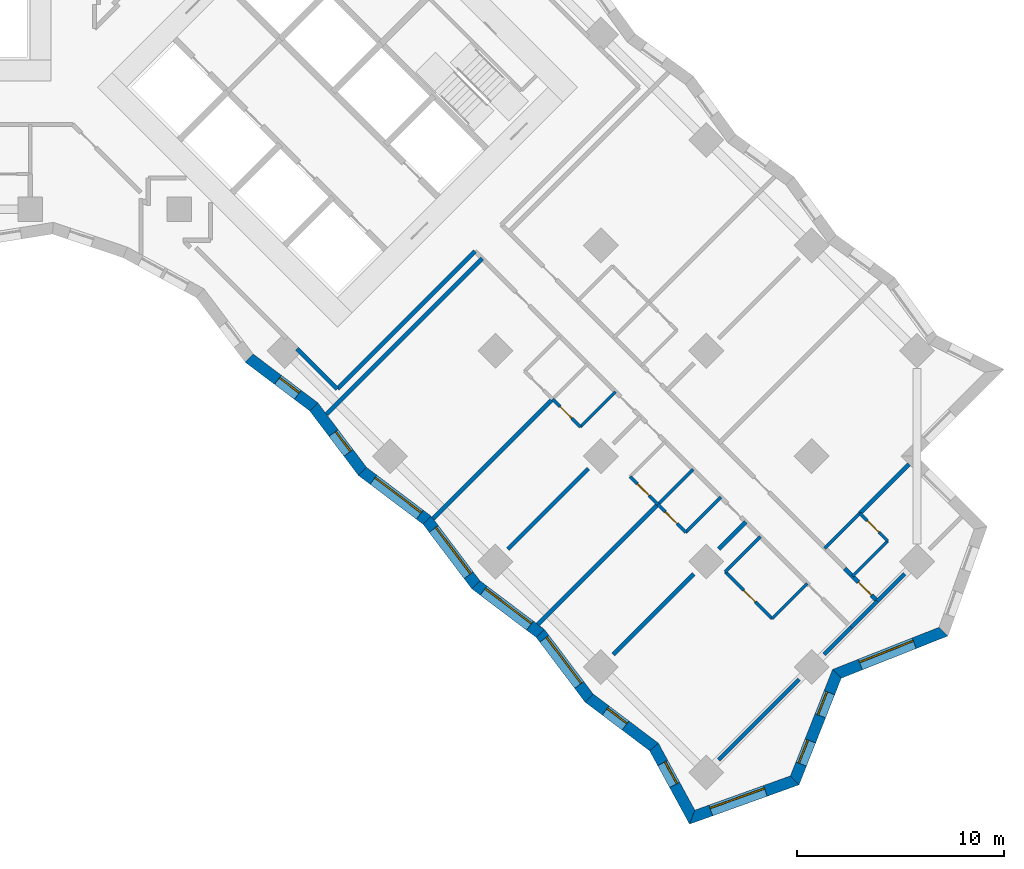
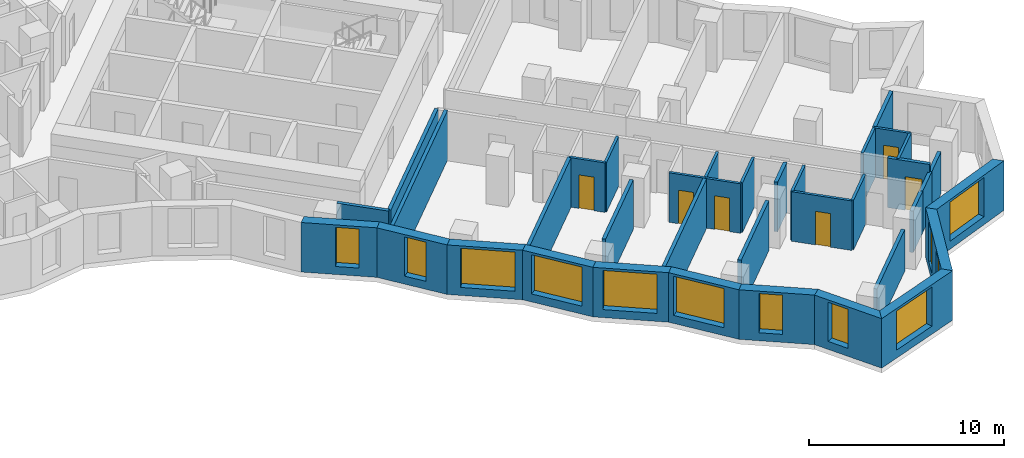
# One storey, part 7 of 12: 37 walls, 12 windows, 6 doors, 18 openings.
"""IFC4 building model written with IfcOpenShell, lengths in metres."""

from ifc_helpers import new_model, si_unit, direction, frame, frame_2d, origin, place, context, subcontext, project, spatial, polyline, rectangle, outline, extrude, material, layer, layer_set, type_object, element, fill, save


model = new_model("IFC4")

# Units and contexts
model_context = context("Model", 3, precision=1e-05, world=origin(), true_north=direction((0.0, 1.0)))
body_context = subcontext(model_context, "Body", "Model", "MODEL_VIEW")
ifc_project = project(units=[si_unit("LENGTHUNIT", "METRE"), si_unit("AREAUNIT", "SQUARE_METRE"), si_unit("VOLUMEUNIT", "CUBIC_METRE"), si_unit("PLANEANGLEUNIT", "RADIAN"), si_unit("MASSUNIT", "GRAM", prefix="KILO")], contexts=[model_context])

# Site, building, storey
site_placement = place(None, origin())
site = spatial("IfcSite", under=ifc_project, at=site_placement, CompositionType="ELEMENT")
building_placement = place(site_placement, origin())
building = spatial("IfcBuilding", under=site, at=building_placement, Name="Windrow Commons", CompositionType="ELEMENT")
storey_placement = place(building_placement, frame((0.0, 0.0, 54.2)))
storey = spatial("IfcBuildingStorey", under=building, at=storey_placement, Name="L14", CompositionType="ELEMENT", Elevation=54.2)

# Wall, opening, window
ifc_material_1 = material(Name="Brick masonry, red clay brick", Category="masonry")
ifc_layer_1 = layer(ifc_material_1, 0.55)
ifc_layer_set_1 = layer_set([ifc_layer_1], Name="Brick facade wall 550")
wall_type_1 = type_object("IfcWallType", Name="Brick facade wall 550", PredefinedType="SOLIDWALL", material=ifc_layer_set_1)
wall_1_placement = place(storey_placement, frame((103.9772, 13.831, 0.0), z_axis=(0.0, 0.0, 1.0), x_axis=(0.9412569304, 0.3376912656, 0.0)))
wall_1 = element("IfcWall", 1, at=wall_1_placement, inside=storey, type_object=wall_type_1, Name="Brick facade wall L14 1", PredefinedType="SOLIDWALL", context=body_context, shape_type="SweptSolid", body=[
    extrude(outline(polyline([(-0.2356, -0.275), (5.3878, -0.275), (5.1391, 0.275), (0.2356, 0.275), (-0.2356, -0.275)])), origin(), (0.0, 0.0, 1.0), 3.1),
])
opening_1_placement = place(wall_1_placement, frame((0.9547, 0.0, 0.5)))
opening_1 = element("IfcOpeningElement", 2, at=opening_1_placement, cuts=wall_1, Name="Opening W1T", PredefinedType="OPENING", context=body_context, shape_type="SweptSolid", body=[
    extrude(rectangle(XDim=2.8, YDim=2.45, at=frame_2d((1.4, 1.225))), frame((0.0, 0.285, 0.0), z_axis=(0.0, -1.0, 0.0), x_axis=(1.0, 0.0, 0.0)), (0.0, 0.0, 1.0), 0.57),
])
ifc_material_2 = material(Name="Clear float glass in anodised aluminium frame", Category="aluminium")
window_type_1 = type_object("IfcWindowType", Name="Window W1T bedroom 2800x2450", PartitioningType="SINGLE_PANEL", PredefinedType="WINDOW", material=ifc_material_2)
window_1_placement = place(opening_1_placement, origin())
window_1 = element("IfcWindow", 3, at=window_1_placement, inside=storey, type_object=window_type_1, Name="Window L14 1.1", OverallHeight=2.45, OverallWidth=2.8, PartitioningType="SINGLE_PANEL", PredefinedType="WINDOW", context=body_context, shape_type="SweptSolid", body=[
    extrude(rectangle(XDim=2.8, YDim=2.45, at=frame_2d((1.4, 1.225))), frame((0.0, 0.155, 0.0), z_axis=(0.0, -1.0, 0.0), x_axis=(1.0, 0.0, 0.0)), (0.0, 0.0, 1.0), 0.06),
])
fill(opening_1, window_1)

# Wall, openings, windows
wall_2_placement = place(storey_placement, frame((108.9314, 15.6084, 0.0), z_axis=(0.0, 0.0, 1.0), x_axis=(0.368236509, 0.9297321514, 0.0)))
wall_2 = element("IfcWall", 4, at=wall_2_placement, inside=storey, type_object=wall_type_1, Name="Brick facade wall L14 2", PredefinedType="SOLIDWALL", context=body_context, shape_type="SweptSolid", body=[
    extrude(outline(polyline([(-0.1243, -0.275), (5.4166, -0.275), (5.6546, 0.275), (0.1243, 0.275), (-0.1243, -0.275)])), origin(), (0.0, 0.0, 1.0), 3.1),
])
opening_2_placement = place(wall_2_placement, frame((0.8484, 0.0, 0.5)))
opening_2 = element("IfcOpeningElement", 5, at=opening_2_placement, cuts=wall_2, Name="Opening W7D", PredefinedType="OPENING", context=body_context, shape_type="SweptSolid", body=[
    extrude(rectangle(XDim=1.2, YDim=2.45, at=frame_2d((0.6, 1.225))), frame((0.0, 0.285, 0.0), z_axis=(0.0, -1.0, 0.0), x_axis=(1.0, 0.0, 0.0)), (0.0, 0.0, 1.0), 0.57),
])
opening_3_placement = place(wall_2_placement, frame((3.354, 0.0, 0.5)))
opening_3 = element("IfcOpeningElement", 6, at=opening_3_placement, cuts=wall_2, Name="Opening W7D", PredefinedType="OPENING", context=body_context, shape_type="SweptSolid", body=[
    extrude(rectangle(XDim=1.2, YDim=2.45, at=frame_2d((0.6, 1.225))), frame((0.0, 0.285, 0.0), z_axis=(0.0, -1.0, 0.0), x_axis=(1.0, 0.0, 0.0)), (0.0, 0.0, 1.0), 0.57),
])
ifc_material_3 = material(Name="Clear float glass in anodised aluminium frame", Category="aluminium")
window_type_2 = type_object("IfcWindowType", Name="Window W7 notch 1200x2450", PartitioningType="SINGLE_PANEL", PredefinedType="WINDOW", material=ifc_material_3)
window_2_placement = place(opening_2_placement, origin())
window_2 = element("IfcWindow", 7, at=window_2_placement, inside=storey, type_object=window_type_2, Name="Window L14 2.1", OverallHeight=2.45, OverallWidth=1.2, PartitioningType="SINGLE_PANEL", PredefinedType="WINDOW", context=body_context, shape_type="SweptSolid", body=[
    extrude(rectangle(XDim=1.2, YDim=2.45, at=frame_2d((0.6, 1.225))), frame((0.0, 0.155, 0.0), z_axis=(0.0, -1.0, 0.0), x_axis=(1.0, 0.0, 0.0)), (0.0, 0.0, 1.0), 0.06),
])
fill(opening_2, window_2)
window_3_placement = place(opening_3_placement, origin())
window_3 = element("IfcWindow", 8, at=window_3_placement, inside=storey, type_object=window_type_2, Name="Window L14 2.2", OverallHeight=2.45, OverallWidth=1.2, PartitioningType="SINGLE_PANEL", PredefinedType="WINDOW", context=body_context, shape_type="SweptSolid", body=[
    extrude(rectangle(XDim=1.2, YDim=2.45, at=frame_2d((0.6, 1.225))), frame((0.0, 0.155, 0.0), z_axis=(0.0, -1.0, 0.0), x_axis=(1.0, 0.0, 0.0)), (0.0, 0.0, 1.0), 0.06),
])
fill(opening_3, window_3)

# Wall, opening, window
wall_3_placement = place(storey_placement, frame((110.9698, 20.755, 0.0), z_axis=(0.0, 0.0, 1.0), x_axis=(0.9297346009, 0.3682303244, 0.0)))
wall_3 = element("IfcWall", 9, at=wall_3_placement, inside=storey, type_object=wall_type_1, Name="Brick facade wall L14 3", PredefinedType="SOLIDWALL", context=body_context, shape_type="SweptSolid", body=[
    extrude(outline(polyline([(0.119, -0.275), (5.6599, -0.275), (5.4113, 0.275), (-0.119, 0.275), (0.119, -0.275)])), origin(), (0.0, 0.0, 1.0), 3.1),
])
opening_4_placement = place(wall_3_placement, frame((1.2138, 0.0, 0.5)))
opening_4 = element("IfcOpeningElement", 10, at=opening_4_placement, cuts=wall_3, Name="Opening W1T", PredefinedType="OPENING", context=body_context, shape_type="SweptSolid", body=[
    extrude(rectangle(XDim=2.8, YDim=2.45, at=frame_2d((1.4, 1.225))), frame((0.0, 0.285, 0.0), z_axis=(0.0, -1.0, 0.0), x_axis=(1.0, 0.0, 0.0)), (0.0, 0.0, 1.0), 0.57),
])
window_4_placement = place(opening_4_placement, origin())
window_4 = element("IfcWindow", 11, at=window_4_placement, inside=storey, type_object=window_type_1, Name="Window L14 3.1", OverallHeight=2.45, OverallWidth=2.8, PartitioningType="SINGLE_PANEL", PredefinedType="WINDOW", context=body_context, shape_type="SweptSolid", body=[
    extrude(rectangle(XDim=2.8, YDim=2.45, at=frame_2d((1.4, 1.225))), frame((0.0, 0.155, 0.0), z_axis=(0.0, -1.0, 0.0), x_axis=(1.0, 0.0, 0.0)), (0.0, 0.0, 1.0), 0.06),
])
fill(opening_4, window_4)

wall_4_placement = place(storey_placement, frame((82.5766, 36.0055, 0.0), z_axis=(0.0, 0.0, 1.0), x_axis=(0.7983449017, -0.6022004799, 0.0)))
wall_4 = element("IfcWall", 12, at=wall_4_placement, inside=storey, type_object=wall_type_1, Name="Brick facade wall L14 56", PredefinedType="SOLIDWALL", context=body_context, shape_type="SweptSolid", body=[
    extrude(outline(polyline([(-0.0385, -0.275), (3.8693, -0.275), (3.9463, 0.275), (0.0385, 0.275), (-0.0385, -0.275)])), origin(), (0.0, 0.0, 1.0), 3.1),
])
opening_5_placement = place(wall_4_placement, frame((1.7388, 0.0, 0.5)))
opening_5 = element("IfcOpeningElement", 13, at=opening_5_placement, cuts=wall_4, Name="Opening W7D", PredefinedType="OPENING", context=body_context, shape_type="SweptSolid", body=[
    extrude(rectangle(XDim=1.2, YDim=2.45, at=frame_2d((0.6, 1.225))), frame((0.0, 0.285, 0.0), z_axis=(0.0, -1.0, 0.0), x_axis=(1.0, 0.0, 0.0)), (0.0, 0.0, 1.0), 0.57),
])
window_5_placement = place(opening_5_placement, origin())
window_5 = element("IfcWindow", 14, at=window_5_placement, inside=storey, type_object=window_type_2, Name="Window L14 56.1", OverallHeight=2.45, OverallWidth=1.2, PartitioningType="SINGLE_PANEL", PredefinedType="WINDOW", context=body_context, shape_type="SweptSolid", body=[
    extrude(rectangle(XDim=1.2, YDim=2.45, at=frame_2d((0.6, 1.225))), frame((0.0, 0.155, 0.0), z_axis=(0.0, -1.0, 0.0), x_axis=(1.0, 0.0, 0.0)), (0.0, 0.0, 1.0), 0.06),
])
fill(opening_5, window_5)

wall_5_placement = place(storey_placement, frame((85.6964, 33.6522, 0.0), z_axis=(0.0, 0.0, 1.0), x_axis=(0.6021964726, -0.7983479244, 0.0)))
wall_5 = element("IfcWall", 15, at=wall_5_placement, inside=storey, type_object=wall_type_1, Name="Brick facade wall L14 57", PredefinedType="SOLIDWALL", context=body_context, shape_type="SweptSolid", body=[
    extrude(outline(polyline([(0.0385, -0.275), (3.9463, -0.275), (3.8693, 0.275), (-0.0385, 0.275), (0.0385, -0.275)])), origin(), (0.0, 0.0, 1.0), 3.1),
])
opening_6_placement = place(wall_5_placement, frame((1.5832, 0.0, 0.5)))
opening_6 = element("IfcOpeningElement", 16, at=opening_6_placement, cuts=wall_5, Name="Opening W7D", PredefinedType="OPENING", context=body_context, shape_type="SweptSolid", body=[
    extrude(rectangle(XDim=1.2, YDim=2.45, at=frame_2d((0.6, 1.225))), frame((0.0, 0.285, 0.0), z_axis=(0.0, -1.0, 0.0), x_axis=(1.0, 0.0, 0.0)), (0.0, 0.0, 1.0), 0.57),
])
window_6_placement = place(opening_6_placement, origin())
window_6 = element("IfcWindow", 17, at=window_6_placement, inside=storey, type_object=window_type_2, Name="Window L14 57.1", OverallHeight=2.45, OverallWidth=1.2, PartitioningType="SINGLE_PANEL", PredefinedType="WINDOW", context=body_context, shape_type="SweptSolid", body=[
    extrude(rectangle(XDim=1.2, YDim=2.45, at=frame_2d((0.6, 1.225))), frame((0.0, 0.155, 0.0), z_axis=(0.0, -1.0, 0.0), x_axis=(1.0, 0.0, 0.0)), (0.0, 0.0, 1.0), 0.06),
])
fill(opening_6, window_6)

wall_6_placement = place(storey_placement, frame((88.0496, 30.5325, 0.0), z_axis=(0.0, 0.0, 1.0), x_axis=(0.7983449017, -0.6022004799, 0.0)))
wall_6 = element("IfcWall", 18, at=wall_6_placement, inside=storey, type_object=wall_type_1, Name="Brick facade wall L14 58", PredefinedType="SOLIDWALL", context=body_context, shape_type="SweptSolid", body=[
    extrude(outline(polyline([(-0.0385, -0.275), (3.8693, -0.275), (3.9463, 0.275), (0.0385, 0.275), (-0.0385, -0.275)])), origin(), (0.0, 0.0, 1.0), 3.1),
])
opening_7_placement = place(wall_6_placement, frame((0.6661, 0.0, 0.5)))
opening_7 = element("IfcOpeningElement", 19, at=opening_7_placement, cuts=wall_6, Name="Opening W1T", PredefinedType="OPENING", context=body_context, shape_type="SweptSolid", body=[
    extrude(rectangle(XDim=2.8, YDim=2.45, at=frame_2d((1.4, 1.225))), frame((0.0, 0.285, 0.0), z_axis=(0.0, -1.0, 0.0), x_axis=(1.0, 0.0, 0.0)), (0.0, 0.0, 1.0), 0.57),
])
window_7_placement = place(opening_7_placement, origin())
window_7 = element("IfcWindow", 20, at=window_7_placement, inside=storey, type_object=window_type_1, Name="Window L14 58.1", OverallHeight=2.45, OverallWidth=2.8, PartitioningType="SINGLE_PANEL", PredefinedType="WINDOW", context=body_context, shape_type="SweptSolid", body=[
    extrude(rectangle(XDim=2.8, YDim=2.45, at=frame_2d((1.4, 1.225))), frame((0.0, 0.155, 0.0), z_axis=(0.0, -1.0, 0.0), x_axis=(1.0, 0.0, 0.0)), (0.0, 0.0, 1.0), 0.06),
])
fill(opening_7, window_7)

wall_7_placement = place(storey_placement, frame((91.1694, 28.1792, 0.0), z_axis=(0.0, 0.0, 1.0), x_axis=(0.6022004799, -0.7983449017, 0.0)))
wall_7 = element("IfcWall", 21, at=wall_7_placement, inside=storey, type_object=wall_type_1, Name="Brick facade wall L14 59", PredefinedType="SOLIDWALL", context=body_context, shape_type="SweptSolid", body=[
    extrude(outline(polyline([(0.0385, -0.275), (3.9463, -0.275), (3.8693, 0.275), (-0.0385, 0.275), (0.0385, -0.275)])), origin(), (0.0, 0.0, 1.0), 3.1),
])
opening_8_placement = place(wall_7_placement, frame((0.5347, 0.0, 0.5)))
opening_8 = element("IfcOpeningElement", 22, at=opening_8_placement, cuts=wall_7, Name="Opening W1T", PredefinedType="OPENING", context=body_context, shape_type="SweptSolid", body=[
    extrude(rectangle(XDim=2.8, YDim=2.45, at=frame_2d((1.4, 1.225))), frame((0.0, 0.285, 0.0), z_axis=(0.0, -1.0, 0.0), x_axis=(1.0, 0.0, 0.0)), (0.0, 0.0, 1.0), 0.57),
])
window_8_placement = place(opening_8_placement, origin())
window_8 = element("IfcWindow", 23, at=window_8_placement, inside=storey, type_object=window_type_1, Name="Window L14 59.1", OverallHeight=2.45, OverallWidth=2.8, PartitioningType="SINGLE_PANEL", PredefinedType="WINDOW", context=body_context, shape_type="SweptSolid", body=[
    extrude(rectangle(XDim=2.8, YDim=2.45, at=frame_2d((1.4, 1.225))), frame((0.0, 0.155, 0.0), z_axis=(0.0, -1.0, 0.0), x_axis=(1.0, 0.0, 0.0)), (0.0, 0.0, 1.0), 0.06),
])
fill(opening_8, window_8)

wall_8_placement = place(storey_placement, frame((93.5227, 25.0594, 0.0), z_axis=(0.0, 0.0, 1.0), x_axis=(0.7983449017, -0.6022004799, 0.0)))
wall_8 = element("IfcWall", 24, at=wall_8_placement, inside=storey, type_object=wall_type_1, Name="Brick facade wall L14 60", PredefinedType="SOLIDWALL", context=body_context, shape_type="SweptSolid", body=[
    extrude(outline(polyline([(-0.0385, -0.275), (3.8693, -0.275), (3.9463, 0.275), (0.0385, 0.275), (-0.0385, -0.275)])), origin(), (0.0, 0.0, 1.0), 3.1),
])
opening_9_placement = place(wall_8_placement, frame((0.4764, 0.0, 0.5)))
opening_9 = element("IfcOpeningElement", 25, at=opening_9_placement, cuts=wall_8, Name="Opening W1T", PredefinedType="OPENING", context=body_context, shape_type="SweptSolid", body=[
    extrude(rectangle(XDim=2.8, YDim=2.45, at=frame_2d((1.4, 1.225))), frame((0.0, 0.285, 0.0), z_axis=(0.0, -1.0, 0.0), x_axis=(1.0, 0.0, 0.0)), (0.0, 0.0, 1.0), 0.57),
])
window_9_placement = place(opening_9_placement, origin())
window_9 = element("IfcWindow", 26, at=window_9_placement, inside=storey, type_object=window_type_1, Name="Window L14 60.1", OverallHeight=2.45, OverallWidth=2.8, PartitioningType="SINGLE_PANEL", PredefinedType="WINDOW", context=body_context, shape_type="SweptSolid", body=[
    extrude(rectangle(XDim=2.8, YDim=2.45, at=frame_2d((1.4, 1.225))), frame((0.0, 0.155, 0.0), z_axis=(0.0, -1.0, 0.0), x_axis=(1.0, 0.0, 0.0)), (0.0, 0.0, 1.0), 0.06),
])
fill(opening_9, window_9)

wall_9_placement = place(storey_placement, frame((96.6425, 22.7061, 0.0), z_axis=(0.0, 0.0, 1.0), x_axis=(0.6022004799, -0.7983449017, 0.0)))
wall_9 = element("IfcWall", 27, at=wall_9_placement, inside=storey, type_object=wall_type_1, Name="Brick facade wall L14 61", PredefinedType="SOLIDWALL", context=body_context, shape_type="SweptSolid", body=[
    extrude(outline(polyline([(0.0385, -0.275), (3.9463, -0.275), (3.8693, 0.275), (-0.0385, 0.275), (0.0385, -0.275)])), origin(), (0.0, 0.0, 1.0), 3.1),
])
opening_10_placement = place(wall_9_placement, frame((0.3208, 0.0, 0.5)))
opening_10 = element("IfcOpeningElement", 28, at=opening_10_placement, cuts=wall_9, Name="Opening W1T", PredefinedType="OPENING", context=body_context, shape_type="SweptSolid", body=[
    extrude(rectangle(XDim=2.8, YDim=2.45, at=frame_2d((1.4, 1.225))), frame((0.0, 0.285, 0.0), z_axis=(0.0, -1.0, 0.0), x_axis=(1.0, 0.0, 0.0)), (0.0, 0.0, 1.0), 0.57),
])
window_10_placement = place(opening_10_placement, origin())
window_10 = element("IfcWindow", 29, at=window_10_placement, inside=storey, type_object=window_type_1, Name="Window L14 61.1", OverallHeight=2.45, OverallWidth=2.8, PartitioningType="SINGLE_PANEL", PredefinedType="WINDOW", context=body_context, shape_type="SweptSolid", body=[
    extrude(rectangle(XDim=2.8, YDim=2.45, at=frame_2d((1.4, 1.225))), frame((0.0, 0.155, 0.0), z_axis=(0.0, -1.0, 0.0), x_axis=(1.0, 0.0, 0.0)), (0.0, 0.0, 1.0), 0.06),
])
fill(opening_10, window_10)

wall_10_placement = place(storey_placement, frame((98.9958, 19.5863, 0.0), z_axis=(0.0, 0.0, 1.0), x_axis=(0.7983537644, -0.6021887302, 0.0)))
wall_10 = element("IfcWall", 30, at=wall_10_placement, inside=storey, type_object=wall_type_1, Name="Brick facade wall L14 62", PredefinedType="SOLIDWALL", context=body_context, shape_type="SweptSolid", body=[
    extrude(outline(polyline([(-0.0385, -0.275), (3.8693, -0.275), (3.9883, 0.275), (0.0385, 0.275), (-0.0385, -0.275)])), origin(), (0.0, 0.0, 1.0), 3.1),
])
opening_11_placement = place(wall_10_placement, frame((1.0037, 0.0, 0.5)))
opening_11 = element("IfcOpeningElement", 31, at=opening_11_placement, cuts=wall_10, Name="Opening W7D", PredefinedType="OPENING", context=body_context, shape_type="SweptSolid", body=[
    extrude(rectangle(XDim=1.2, YDim=2.45, at=frame_2d((0.6, 1.225))), frame((0.0, 0.285, 0.0), z_axis=(0.0, -1.0, 0.0), x_axis=(1.0, 0.0, 0.0)), (0.0, 0.0, 1.0), 0.57),
])
window_11_placement = place(opening_11_placement, origin())
window_11 = element("IfcWindow", 32, at=window_11_placement, inside=storey, type_object=window_type_2, Name="Window L14 62.1", OverallHeight=2.45, OverallWidth=1.2, PartitioningType="SINGLE_PANEL", PredefinedType="WINDOW", context=body_context, shape_type="SweptSolid", body=[
    extrude(rectangle(XDim=1.2, YDim=2.45, at=frame_2d((0.6, 1.225))), frame((0.0, 0.155, 0.0), z_axis=(0.0, -1.0, 0.0), x_axis=(1.0, 0.0, 0.0)), (0.0, 0.0, 1.0), 0.06),
])
fill(opening_11, window_11)

wall_11_placement = place(storey_placement, frame((102.1324, 17.2204, 0.0), z_axis=(0.0, 0.0, 1.0), x_axis=(0.478060323, -0.8783270049, 0.0)))
wall_11 = element("IfcWall", 33, at=wall_11_placement, inside=storey, type_object=wall_type_1, Name="Brick facade wall L14 63", PredefinedType="SOLIDWALL", context=body_context, shape_type="SweptSolid", body=[
    extrude(outline(polyline([(0.0595, -0.275), (4.0945, -0.275), (3.6233, 0.275), (-0.0595, 0.275), (0.0595, -0.275)])), origin(), (0.0, 0.0, 1.0), 3.1),
])
opening_12_placement = place(wall_11_placement, frame((0.8811, 0.0, 0.5)))
opening_12 = element("IfcOpeningElement", 34, at=opening_12_placement, cuts=wall_11, Name="Opening W7D", PredefinedType="OPENING", context=body_context, shape_type="SweptSolid", body=[
    extrude(rectangle(XDim=1.2, YDim=2.45, at=frame_2d((0.6, 1.225))), frame((0.0, 0.285, 0.0), z_axis=(0.0, -1.0, 0.0), x_axis=(1.0, 0.0, 0.0)), (0.0, 0.0, 1.0), 0.57),
])
window_12_placement = place(opening_12_placement, origin())
window_12 = element("IfcWindow", 35, at=window_12_placement, inside=storey, type_object=window_type_2, Name="Window L14 63.1", OverallHeight=2.45, OverallWidth=1.2, PartitioningType="SINGLE_PANEL", PredefinedType="WINDOW", context=body_context, shape_type="SweptSolid", body=[
    extrude(rectangle(XDim=1.2, YDim=2.45, at=frame_2d((0.6, 1.225))), frame((0.0, 0.155, 0.0), z_axis=(0.0, -1.0, 0.0), x_axis=(1.0, 0.0, 0.0)), (0.0, 0.0, 1.0), 0.06),
])
fill(opening_12, window_12)

# Walls
ifc_material_4 = material(Name="Blockwork partition", Category="masonry")
ifc_layer_2 = layer(ifc_material_4, 0.2)
ifc_layer_set_2 = layer_set([ifc_layer_2], Name="IW-CORRIDOR-200")
wall_type_2 = type_object("IfcWallType", Name="IW-CORRIDOR-200", PredefinedType="PARTITIONING", material=ifc_layer_set_2)
wall_12_placement = place(storey_placement, frame((86.8359, 34.5241, 0.0), z_axis=(0.0, 0.0, 1.0), x_axis=(0.7071067812, 0.7071067812, 0.0)))
element("IfcWall", 36, at=wall_12_placement, inside=storey, type_object=wall_type_2, Name="W-L14-W013", PredefinedType="PARTITIONING", context=body_context, shape_type="SweptSolid", body=[
    extrude(rectangle(XDim=9.3989, YDim=0.2, at=frame_2d((4.6994, 0.0))), origin(), (0.0, 0.0, 1.0), 3.1),
])
wall_13_placement = place(storey_placement, frame((84.8888, 36.4648, 0.0), z_axis=(0.0, 0.0, 1.0), x_axis=(0.7071067812, -0.7071067812, 0.0)))
element("IfcWall", 37, at=wall_13_placement, inside=storey, type_object=wall_type_2, Name="W-L14-W058", PredefinedType="PARTITIONING", context=body_context, shape_type="SweptSolid", body=[
    extrude(rectangle(XDim=2.7492, YDim=0.2, at=frame_2d((1.3746, 0.0))), origin(), (0.0, 0.0, 1.0), 3.1),
])

# Wall, opening, door
wall_14_placement = place(storey_placement, frame((112.9254, 24.2674, 0.0), z_axis=(0.0, 0.0, 1.0), x_axis=(-0.7068383786, 0.707375082, 0.0)))
wall_14 = element("IfcWall", 38, at=wall_14_placement, inside=storey, type_object=wall_type_2, Name="W-L14-W095", PredefinedType="PARTITIONING", context=body_context, shape_type="SweptSolid", body=[
    extrude(rectangle(XDim=2.2359, YDim=0.2, at=frame_2d((1.1179, 0.0))), origin(), (0.0, 0.0, 1.0), 3.1),
])
opening_13_placement = place(wall_14_placement, frame((0.3995, 0.0, 0.0)))
opening_13 = element("IfcOpeningElement", 39, at=opening_13_placement, cuts=wall_14, Name="Opening D109S", PredefinedType="OPENING", context=body_context, shape_type="SweptSolid", body=[
    extrude(rectangle(XDim=0.9, YDim=2.1, at=frame_2d((0.45, 1.05))), frame((0.0, 0.11, 0.0), z_axis=(0.0, -1.0, 0.0), x_axis=(1.0, 0.0, 0.0)), (0.0, 0.0, 1.0), 0.22),
])
ifc_material_5 = material(Name="Timber door leaf", Category="wood")
door_type_1 = type_object("IfcDoorType", Name="DT-BEDROOM-900", OperationType="SINGLE_SWING_LEFT", PredefinedType="DOOR", material=ifc_material_5)
door_1_placement = place(opening_13_placement, origin())
door_1 = element("IfcDoor", 40, at=door_1_placement, inside=storey, type_object=door_type_1, Name="D-L14-D048", OperationType="SINGLE_SWING_RIGHT", OverallHeight=2.1, OverallWidth=0.9, PredefinedType="DOOR", context=body_context, shape_type="SweptSolid", body=[
    extrude(rectangle(XDim=0.9, YDim=2.1, at=frame_2d((0.45, 1.05))), frame((0.0, 0.025, 0.0), z_axis=(0.0, -1.0, 0.0), x_axis=(1.0, 0.0, 0.0)), (0.0, 0.0, 1.0), 0.05),
])
fill(opening_13, door_1)

# Wall
wall_15_placement = place(storey_placement, frame((111.6555, 22.9985, 0.0), z_axis=(0.0, 0.0, 1.0), x_axis=(0.7071067812, 0.7071067812, 0.0)))
element("IfcWall", 41, at=wall_15_placement, inside=storey, type_object=wall_type_2, Name="W-L14-W130", PredefinedType="PARTITIONING", context=body_context, shape_type="SweptSolid", body=[
    extrude(rectangle(XDim=1.7989, YDim=0.2, at=frame_2d((0.8994, 0.0))), origin(), (0.0, 0.0, 1.0), 2.6),
])

# Wall, opening, door
ifc_material_6 = material(Name="Blockwork partition", Category="masonry")
ifc_layer_3 = layer(ifc_material_6, 0.15)
ifc_layer_set_3 = layer_set([ifc_layer_3], Name="IW-ENSUITE-150")
wall_type_3 = type_object("IfcWallType", Name="IW-ENSUITE-150", PredefinedType="PARTITIONING", material=ifc_layer_set_3)
wall_16_placement = place(storey_placement, frame((105.5726, 25.6806, 0.0), z_axis=(0.0, 0.0, 1.0), x_axis=(0.7071067812, -0.7071067812, 0.0)))
wall_16 = element("IfcWall", 42, at=wall_16_placement, inside=storey, type_object=wall_type_3, Name="W-L14-W054", PredefinedType="PARTITIONING", context=body_context, shape_type="SweptSolid", body=[
    extrude(rectangle(XDim=3.199, YDim=0.15, at=frame_2d((1.5995, 0.0))), origin(), (0.0, 0.0, 1.0), 3.1),
])
opening_14_placement = place(wall_16_placement, frame((1.2585, 0.0, 0.0)))
opening_14 = element("IfcOpeningElement", 43, at=opening_14_placement, cuts=wall_16, Name="Opening D208N", PredefinedType="OPENING", context=body_context, shape_type="SweptSolid", body=[
    extrude(rectangle(XDim=0.8, YDim=2.1, at=frame_2d((0.4, 1.05))), frame((0.0, 0.085, 0.0), z_axis=(0.0, -1.0, 0.0), x_axis=(1.0, 0.0, 0.0)), (0.0, 0.0, 1.0), 0.17),
])
ifc_material_7 = material(Name="Timber door leaf", Category="wood")
door_type_2 = type_object("IfcDoorType", Name="DT-ENSUITE-800", OperationType="SINGLE_SWING_LEFT", PredefinedType="DOOR", material=ifc_material_7)
door_2_placement = place(opening_14_placement, origin())
door_2 = element("IfcDoor", 44, at=door_2_placement, inside=storey, type_object=door_type_2, Name="D-L14-D047", OperationType="SINGLE_SWING_RIGHT", OverallHeight=2.1, OverallWidth=0.8, PredefinedType="DOOR", context=body_context, shape_type="SweptSolid", body=[
    extrude(rectangle(XDim=0.8, YDim=2.1, at=frame_2d((0.4, 1.05))), frame((0.0, 0.025, 0.0), z_axis=(0.0, -1.0, 0.0), x_axis=(1.0, 0.0, 0.0)), (0.0, 0.0, 1.0), 0.05),
])
fill(opening_14, door_2)

# Walls
for number, where, z_axis, x_axis, name in (
    (45, (111.7254, 25.4726, 0.0), (0.0, 0.0, 1.0), (0.7071067812, 0.7071067812, 0.0), "W-L14-W066"),
    (46, (98.5731, 32.6849, 0.0), (0.0, 0.0, 1.0), (0.7071067812, 0.7071067812, 0.0), "W-L14-W067"),
):
    element("IfcWall", number, at=place(storey_placement, frame(where, z_axis=z_axis, x_axis=x_axis)), inside=storey, type_object=wall_type_3, Name=name, PredefinedType="PARTITIONING", context=body_context, shape_type="SweptSolid", body=[
        extrude(rectangle(XDim=2.4013, YDim=0.15, at=frame_2d((1.2006, 0.0))), origin(), (0.0, 0.0, 1.0), 3.1),
    ])
wall_17_placement = place(storey_placement, frame((105.5782, 25.6818, 0.0), z_axis=(0.0, 0.0, 1.0), x_axis=(0.706689978, 0.7075233388, 0.0)))
element("IfcWall", 47, at=wall_17_placement, inside=storey, type_object=wall_type_3, Name="W-L14-W084", PredefinedType="PARTITIONING", context=body_context, shape_type="SweptSolid", body=[
    extrude(rectangle(XDim=2.3999, YDim=0.15, at=frame_2d((1.2, 0.0))), origin(), (0.0, 0.0, 1.0), 3.1),
])
for number, where, z_axis, x_axis, name in (
    (48, (110.3829, 26.8171, 0.0), (0.0, 0.0, 1.0), (0.7071067812, 0.7071067812, 0.0), "W-L14-W088"),
    (49, (102.3228, 28.9392, 0.0), (0.0, 0.0, 1.0), (0.7071067812, 0.7071067812, 0.0), "W-L14-W091"),
    (50, (103.6653, 27.5947, 0.0), (0.0, 0.0, 1.0), (0.7071067812, 0.7071067812, 0.0), "W-L14-W092"),
    (51, (107.8372, 23.4228, 0.0), (0.0, 0.0, 1.0), (0.7071067812, 0.7071067812, 0.0), "W-L14-W093"),
):
    element("IfcWall", number, at=place(storey_placement, frame(where, z_axis=z_axis, x_axis=x_axis)), inside=storey, type_object=wall_type_3, Name=name, PredefinedType="PARTITIONING", context=body_context, shape_type="SweptSolid", body=[
        extrude(rectangle(XDim=2.3985, YDim=0.15, at=frame_2d((1.1992, 0.0))), origin(), (0.0, 0.0, 1.0), 3.1),
    ])

# Wall, opening, door
wall_18_placement = place(storey_placement, frame((100.9807, 30.2827, 0.0), z_axis=(0.0, 0.0, 1.0), x_axis=(0.7076330979, -0.7065800724, 0.0)))
wall_18 = element("IfcWall", 52, at=wall_18_placement, inside=storey, type_object=wall_type_3, Name="W-L14-W116", PredefinedType="PARTITIONING", context=body_context, shape_type="SweptSolid", body=[
    extrude(rectangle(XDim=1.8993, YDim=0.15, at=frame_2d((0.9496, 0.0))), origin(), (0.0, 0.0, 1.0), 3.1),
])
opening_15_placement = place(wall_18_placement, frame((0.4932, 0.0, 0.0)))
opening_15 = element("IfcOpeningElement", 53, at=opening_15_placement, cuts=wall_18, Name="Opening D208N", PredefinedType="OPENING", context=body_context, shape_type="SweptSolid", body=[
    extrude(rectangle(XDim=0.8, YDim=2.1, at=frame_2d((0.4, 1.05))), frame((0.0, 0.085, 0.0), z_axis=(0.0, -1.0, 0.0), x_axis=(1.0, 0.0, 0.0)), (0.0, 0.0, 1.0), 0.17),
])
door_3_placement = place(opening_15_placement, origin())
door_3 = element("IfcDoor", 54, at=door_3_placement, inside=storey, type_object=door_type_2, Name="D-L14-D043", OperationType="SINGLE_SWING_RIGHT", OverallHeight=2.1, OverallWidth=0.8, PredefinedType="DOOR", context=body_context, shape_type="SweptSolid", body=[
    extrude(rectangle(XDim=0.8, YDim=2.1, at=frame_2d((0.4, 1.05))), frame((0.0, 0.025, 0.0), z_axis=(0.0, -1.0, 0.0), x_axis=(1.0, 0.0, 0.0)), (0.0, 0.0, 1.0), 0.05),
])
fill(opening_15, door_3)

wall_19_placement = place(storey_placement, frame((97.2334, 34.0294, 0.0), z_axis=(0.0, 0.0, 1.0), x_axis=(0.7065800724, -0.7076330979, 0.0)))
wall_19 = element("IfcWall", 55, at=wall_19_placement, inside=storey, type_object=wall_type_3, Name="W-L14-W117", PredefinedType="PARTITIONING", context=body_context, shape_type="SweptSolid", body=[
    extrude(rectangle(XDim=1.8993, YDim=0.15, at=frame_2d((0.9496, 0.0))), origin(), (0.0, 0.0, 1.0), 3.1),
])
opening_16_placement = place(wall_19_placement, frame((0.5153, 0.0, 0.0)))
opening_16 = element("IfcOpeningElement", 56, at=opening_16_placement, cuts=wall_19, Name="Opening D208N", PredefinedType="OPENING", context=body_context, shape_type="SweptSolid", body=[
    extrude(rectangle(XDim=0.8, YDim=2.1, at=frame_2d((0.4, 1.05))), frame((0.0, 0.085, 0.0), z_axis=(0.0, -1.0, 0.0), x_axis=(1.0, 0.0, 0.0)), (0.0, 0.0, 1.0), 0.17),
])
door_4_placement = place(opening_16_placement, origin())
door_4 = element("IfcDoor", 57, at=door_4_placement, inside=storey, type_object=door_type_2, Name="D-L14-D041", OperationType="SINGLE_SWING_RIGHT", OverallHeight=2.1, OverallWidth=0.8, PredefinedType="DOOR", context=body_context, shape_type="SweptSolid", body=[
    extrude(rectangle(XDim=0.8, YDim=2.1, at=frame_2d((0.4, 1.05))), frame((0.0, 0.025, 0.0), z_axis=(0.0, -1.0, 0.0), x_axis=(1.0, 0.0, 0.0)), (0.0, 0.0, 1.0), 0.05),
])
fill(opening_16, door_4)

wall_20_placement = place(storey_placement, frame((102.3206, 28.9346, 0.0), z_axis=(0.0, 0.0, 1.0), x_axis=(0.7065800724, -0.7076330979, 0.0)))
wall_20 = element("IfcWall", 58, at=wall_20_placement, inside=storey, type_object=wall_type_3, Name="W-L14-W118", PredefinedType="PARTITIONING", context=body_context, shape_type="SweptSolid", body=[
    extrude(rectangle(XDim=1.8993, YDim=0.15, at=frame_2d((0.9496, 0.0))), origin(), (0.0, 0.0, 1.0), 3.1),
])
opening_17_placement = place(wall_20_placement, frame((0.5015, 0.0, 0.0)))
opening_17 = element("IfcOpeningElement", 59, at=opening_17_placement, cuts=wall_20, Name="Opening D208N", PredefinedType="OPENING", context=body_context, shape_type="SweptSolid", body=[
    extrude(rectangle(XDim=0.8, YDim=2.1, at=frame_2d((0.4, 1.05))), frame((0.0, 0.085, 0.0), z_axis=(0.0, -1.0, 0.0), x_axis=(1.0, 0.0, 0.0)), (0.0, 0.0, 1.0), 0.17),
])
door_5_placement = place(opening_17_placement, origin())
door_5 = element("IfcDoor", 60, at=door_5_placement, inside=storey, type_object=door_type_2, Name="D-L14-D045", OperationType="SINGLE_SWING_RIGHT", OverallHeight=2.1, OverallWidth=0.8, PredefinedType="DOOR", context=body_context, shape_type="SweptSolid", body=[
    extrude(rectangle(XDim=0.8, YDim=2.1, at=frame_2d((0.4, 1.05))), frame((0.0, 0.025, 0.0), z_axis=(0.0, -1.0, 0.0), x_axis=(1.0, 0.0, 0.0)), (0.0, 0.0, 1.0), 0.05),
])
fill(opening_17, door_5)

wall_21_placement = place(storey_placement, frame((112.0803, 28.5123, 0.0), z_axis=(0.0, 0.0, 1.0), x_axis=(0.7076330979, -0.7065800724, 0.0)))
wall_21 = element("IfcWall", 61, at=wall_21_placement, inside=storey, type_object=wall_type_3, Name="W-L14-W119", PredefinedType="PARTITIONING", context=body_context, shape_type="SweptSolid", body=[
    extrude(rectangle(XDim=1.8993, YDim=0.15, at=frame_2d((0.9496, 0.0))), origin(), (0.0, 0.0, 1.0), 3.1),
])
opening_18_placement = place(wall_21_placement, frame((0.5046, 0.0, 0.0)))
opening_18 = element("IfcOpeningElement", 62, at=opening_18_placement, cuts=wall_21, Name="Opening D208N", PredefinedType="OPENING", context=body_context, shape_type="SweptSolid", body=[
    extrude(rectangle(XDim=0.8, YDim=2.1, at=frame_2d((0.4, 1.05))), frame((0.0, 0.085, 0.0), z_axis=(0.0, -1.0, 0.0), x_axis=(1.0, 0.0, 0.0)), (0.0, 0.0, 1.0), 0.17),
])
door_6_placement = place(opening_18_placement, origin())
door_6 = element("IfcDoor", 63, at=door_6_placement, inside=storey, type_object=door_type_2, Name="D-L14-D049", OperationType="SINGLE_SWING_RIGHT", OverallHeight=2.1, OverallWidth=0.8, PredefinedType="DOOR", context=body_context, shape_type="SweptSolid", body=[
    extrude(rectangle(XDim=0.8, YDim=2.1, at=frame_2d((0.4, 1.05))), frame((0.0, 0.025, 0.0), z_axis=(0.0, -1.0, 0.0), x_axis=(1.0, 0.0, 0.0)), (0.0, 0.0, 1.0), 0.05),
])
fill(opening_18, door_6)

# Walls
ifc_material_8 = material(Name="Blockwork partition", Category="masonry")
ifc_layer_4 = layer(ifc_material_8, 0.2)
ifc_layer_set_4 = layer_set([ifc_layer_4], Name="IW-PARTY-200")
wall_type_4 = type_object("IfcWallType", Name="IW-PARTY-200", PredefinedType="PARTITIONING", material=ifc_layer_set_4)
wall_22_placement = place(storey_placement, frame((86.3118, 33.293, 0.0), z_axis=(0.0, 0.0, 1.0), x_axis=(0.7071067812, 0.7071067812, 0.0)))
element("IfcWall", 64, at=wall_22_placement, inside=storey, type_object=wall_type_4, Name="W-L14-W010", PredefinedType="PARTITIONING", context=body_context, shape_type="SweptSolid", body=[
    extrude(rectangle(XDim=10.6414, YDim=0.2, at=frame_2d((5.3207, 0.0))), origin(), (0.0, 0.0, 1.0), 3.1),
])
wall_23_placement = place(storey_placement, frame((96.5237, 23.1402, 0.0), z_axis=(0.0, 0.0, 1.0), x_axis=(0.7071128779, 0.7071006844, 0.0)))
element("IfcWall", 65, at=wall_23_placement, inside=storey, type_object=wall_type_4, Name="W-L14-W020", PredefinedType="PARTITIONING", context=body_context, shape_type="SweptSolid", body=[
    extrude(rectangle(XDim=8.2011, YDim=0.2, at=frame_2d((4.1006, 0.0))), origin(), (0.0, 0.0, 1.0), 3.1),
])
wall_24_placement = place(storey_placement, frame((91.4594, 28.2514, 0.0), z_axis=(0.0, 0.0, 1.0), x_axis=(0.7072292218, 0.7069843194, 0.0)))
element("IfcWall", 66, at=wall_24_placement, inside=storey, type_object=wall_type_4, Name="W-L14-W021", PredefinedType="PARTITIONING", context=body_context, shape_type="SweptSolid", body=[
    extrude(rectangle(XDim=8.1665, YDim=0.2, at=frame_2d((4.0832, 0.0))), origin(), (0.0, 0.0, 1.0), 3.1),
])
wall_25_placement = place(storey_placement, frame((100.1624, 21.6876, 0.0), z_axis=(0.0, 0.0, 1.0), x_axis=(0.7071067812, 0.7071067812, 0.0)))
element("IfcWall", 67, at=wall_25_placement, inside=storey, type_object=wall_type_4, Name="W-L14-W035", PredefinedType="PARTITIONING", context=body_context, shape_type="SweptSolid", body=[
    extrude(rectangle(XDim=5.5069, YDim=0.2, at=frame_2d((2.7534, 0.0))), origin(), (0.0, 0.0, 1.0), 3.1),
])
wall_26_placement = place(storey_placement, frame((105.2555, 16.5985, 0.0), z_axis=(0.0, 0.0, 1.0), x_axis=(0.7071067812, 0.7071067812, 0.0)))
element("IfcWall", 68, at=wall_26_placement, inside=storey, type_object=wall_type_4, Name="W-L14-W036", PredefinedType="PARTITIONING", context=body_context, shape_type="SweptSolid", body=[
    extrude(rectangle(XDim=5.5041, YDim=0.2, at=frame_2d((2.7521, 0.0))), origin(), (0.0, 0.0, 1.0), 2.6),
])
wall_27_placement = place(storey_placement, frame((95.0732, 26.7808, 0.0), z_axis=(0.0, 0.0, 1.0), x_axis=(0.7071067812, 0.7071067812, 0.0)))
element("IfcWall", 69, at=wall_27_placement, inside=storey, type_object=wall_type_4, Name="W-L14-W038", PredefinedType="PARTITIONING", context=body_context, shape_type="SweptSolid", body=[
    extrude(rectangle(XDim=5.5013, YDim=0.2, at=frame_2d((2.7506, 0.0))), origin(), (0.0, 0.0, 1.0), 3.1),
])
wall_28_placement = place(storey_placement, frame((112.0789, 28.5131, 0.0), z_axis=(0.0, 0.0, 1.0), x_axis=(0.7071067812, 0.7071067812, 0.0)))
element("IfcWall", 70, at=wall_28_placement, inside=storey, type_object=wall_type_4, Name="W-L14-W053", PredefinedType="PARTITIONING", context=body_context, shape_type="SweptSolid", body=[
    extrude(rectangle(XDim=3.351, YDim=0.2, at=frame_2d((1.6755, 0.0))), origin(), (0.0, 0.0, 1.0), 3.1),
])
for number, where, z_axis, x_axis, name in (
    (71, (110.3455, 21.6885, 0.0), (0.0, 0.0, 1.0), (0.7071067812, 0.7071067812, 0.0), "W-L14-W120"),
    (72, (112.9275, 24.2705, 0.0), (0.0, 0.0, 1.0), (0.7071067812, 0.7071067812, 0.0), "W-L14-W122"),
):
    element("IfcWall", number, at=place(storey_placement, frame(where, z_axis=z_axis, x_axis=x_axis)), inside=storey, type_object=wall_type_4, Name=name, PredefinedType="PARTITIONING", context=body_context, shape_type="SweptSolid", body=[
        extrude(rectangle(XDim=1.8526, YDim=0.2, at=frame_2d((0.9263, 0.0))), origin(), (0.0, 0.0, 1.0), 2.6),
    ])
wall_29_placement = place(storey_placement, frame((105.2563, 26.7797, 0.0), z_axis=(0.0, 0.0, 1.0), x_axis=(0.7076467632, 0.7065663865, 0.0)))
element("IfcWall", 73, at=wall_29_placement, inside=storey, type_object=wall_type_4, Name="W-L14-W123", PredefinedType="PARTITIONING", context=body_context, shape_type="SweptSolid", body=[
    extrude(rectangle(XDim=1.8512, YDim=0.2, at=frame_2d((0.9256, 0.0))), origin(), (0.0, 0.0, 1.0), 3.1),
])

save(model, "model.ifc")
